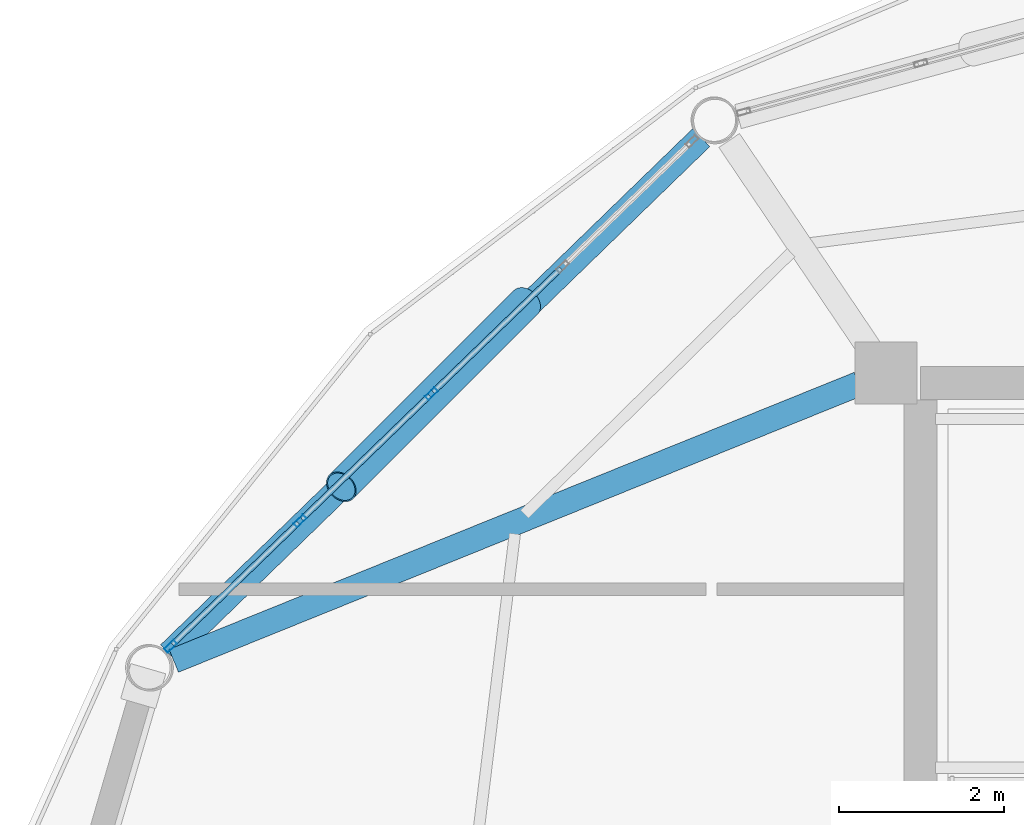
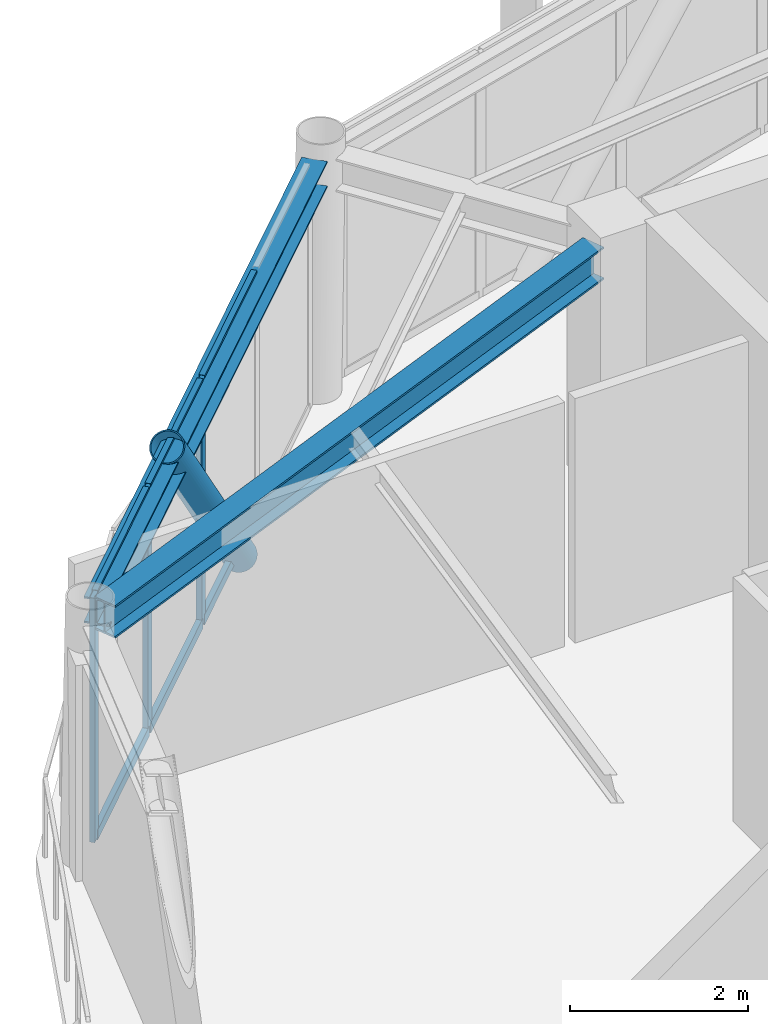
# One storey, part 13 of 27: 10 members, 2 beams, 1 element without a shape of its own.
"""IFC4 building model written with IfcOpenShell, lengths in metres."""

from ifc_helpers import new_model, si_unit, direction, frame, origin, origin_2d, place, context, subcontext, project, spatial, hollow_rectangle, hollow_circle, i_section, extrude, material, layer, layer_set, material_profile, profile_set, type_object, element, aggregate, save


model = new_model("IFC4")

# Units and contexts
model_context = context("Model", 3, precision=1e-05, world=origin(), true_north=direction((0.0, 1.0)))
body_context = subcontext(model_context, "Body", "Model", "MODEL_VIEW")
ifc_project = project(units=[si_unit("LENGTHUNIT", "METRE"), si_unit("AREAUNIT", "SQUARE_METRE"), si_unit("VOLUMEUNIT", "CUBIC_METRE"), si_unit("PLANEANGLEUNIT", "RADIAN"), si_unit("MASSUNIT", "GRAM", prefix="KILO")], contexts=[model_context])

# Site, building, storey
site_placement = place(None, origin())
site = spatial("IfcSite", under=ifc_project, at=site_placement, CompositionType="ELEMENT")
building_placement = place(site_placement, origin())
building = spatial("IfcBuilding", under=site, at=building_placement, Name="Varnakorn Sky Granary", CompositionType="ELEMENT")
storey_placement = place(building_placement, frame((0.0, 0.0, 229.199951171875)))
storey = spatial("IfcBuildingStorey", under=building, at=storey_placement, Name="L58", CompositionType="ELEMENT", Elevation=229.199951171875)

# Beams
ifc_material_1 = material(Name="Steel S355JR", Category="steel")
ifc_material_profile_1 = material_profile(ifc_material_1, i_section(OverallWidth=0.300048828125, OverallDepth=0.449951171875, WebThickness=0.013916015625, FlangeThickness=0.02587890625, at=origin_2d()), Name="HE 450 B")
ifc_profile_set_1 = profile_set([ifc_material_profile_1], Name="Steel S355JR")
beam_type_1 = type_object("IfcBeamType", Name="BM-RAD-Z5", PredefinedType="BEAM", material=ifc_profile_set_1)
beam_1_placement = place(storey_placement, frame((-2.7490234375, 12.487060546875, 3.135009765625), z_axis=(-0.927111074878, -0.374786679111, 0.0), x_axis=(0.374786679111, -0.927111074878, 0.0)))
element("IfcBeam", 1, at=beam_1_placement, inside=storey, type_object=beam_type_1, Name="Radial Floor Girder RG06 L58", PredefinedType="BEAM", context=body_context, shape_type="SweptSolid", body=[
    extrude(i_section(OverallWidth=0.300048828125, OverallDepth=0.449951171875, WebThickness=0.013916015625, FlangeThickness=0.02587890625, at=origin_2d()), origin(), (0.0, 0.0, 1.0), 8.942626953125),
])
ifc_material_profile_2 = material_profile(ifc_material_1, i_section(OverallWidth=0.300048828125, OverallDepth=0.360107421875, WebThickness=0.012451171875, FlangeThickness=0.0224609375, at=origin_2d()), Name="HE 360 B")
ifc_profile_set_2 = profile_set([ifc_material_profile_2], Name="Steel S355JR")
beam_type_2 = type_object("IfcBeamType", Name="BM-SPD-Z5", PredefinedType="SPANDREL", material=ifc_profile_set_2)
beam_2_placement = place(storey_placement, frame((-4.655517578125, 15.467529296875, 3.179931640625), z_axis=(-0.717760671114, -0.696289895806, 0.0), x_axis=(0.696289895806, -0.717760671114, 0.0)))
element("IfcBeam", 2, at=beam_2_placement, inside=storey, type_object=beam_type_2, Name="Perimeter Spandrel Ring Beam RB05 L58", PredefinedType="SPANDREL", context=body_context, shape_type="SweptSolid", body=[
    extrude(i_section(OverallWidth=0.300048828125, OverallDepth=0.360107421875, WebThickness=0.012451171875, FlangeThickness=0.0224609375, at=origin_2d()), origin(), (0.0, 0.0, 1.0), 8.9716796875),
])

# Curtain wall, members
ifc_material_2 = material(Name="Anodised Bronze Aluminium Alloy 6063-T6", Category="aluminium")
ifc_layer = layer(ifc_material_2, 0.169921875, Name="Anodised Bronze Aluminium Alloy 6063-T6")
ifc_layer_set = layer_set([ifc_layer], Name="Anodised Bronze Aluminium Alloy 6063-T6")
curtain_wall_type = type_object("IfcCurtainWallType", Name="CW-LAB-1", PredefinedType="USERDEFINED", material=ifc_layer_set)
curtain_wall_placement = place(storey_placement, origin())
curtain_wall = element("IfcCurtainWall", 3, at=curtain_wall_placement, inside=storey, type_object=curtain_wall_type, Name="Unitised Curtain Wall CW5 CW-L58-B05", ObjectType="CURTAIN WALL", PredefinedType="USERDEFINED")
ifc_material_profile_3 = material_profile(ifc_material_2, hollow_rectangle(XDim=0.06494140625, YDim=0.159912109375, WallThickness=0.00341796875, at=origin_2d()), Name="ALU MULL 65x160")
ifc_profile_set_3 = profile_set([ifc_material_profile_3], Name="Anodised Bronze Aluminium Alloy 6063-T6")
member_type_1 = type_object("IfcMemberType", Name="CW-LAB-1-MULL", PredefinedType="MULLION", material=ifc_profile_set_3)
member_1_placement = place(storey_placement, frame((-11.07666015625, 9.312255859375, 0.0), z_axis=(0.0, 0.0, 1.0), x_axis=(-0.695640153276, 0.718390407195, 0.0)))
member_1 = element("IfcMember", 4, at=member_1_placement, type_object=member_type_1, Name="CW5 mullion 1", PredefinedType="MULLION", context=body_context, shape_type="SweptSolid", body=[
    extrude(hollow_rectangle(XDim=0.06494140625, YDim=0.159912109375, WallThickness=0.00341796875, at=origin_2d()), origin(), (0.0, 0.0, 1.0), 3.360107421875),
])
member_2_placement = place(storey_placement, frame((-9.5107421875, 10.82861328125, 0.0), z_axis=(0.0, 0.0, 1.0), x_axis=(-0.695640153276, 0.718390407195, 0.0)))
member_2 = element("IfcMember", 5, at=member_2_placement, type_object=member_type_1, Name="CW5 mullion 2", PredefinedType="MULLION", context=body_context, shape_type="SweptSolid", body=[
    extrude(hollow_rectangle(XDim=0.06494140625, YDim=0.159912109375, WallThickness=0.00341796875, at=origin_2d()), origin(), (0.0, 0.0, 1.0), 3.360107421875),
])
member_3_placement = place(storey_placement, frame((-7.921630859375, 12.3671875, 0.0), z_axis=(0.0, 0.0, 1.0), x_axis=(-0.695640153276, 0.718390407195, 0.0)))
member_3 = element("IfcMember", 6, at=member_3_placement, type_object=member_type_1, Name="CW5 mullion 3", PredefinedType="MULLION", context=body_context, shape_type="SweptSolid", body=[
    extrude(hollow_rectangle(XDim=0.06494140625, YDim=0.159912109375, WallThickness=0.00341796875, at=origin_2d()), origin(), (0.0, 0.0, 1.0), 3.360107421875),
])
ifc_material_profile_4 = material_profile(ifc_material_2, hollow_rectangle(XDim=0.070068359375, YDim=0.139892578125, WallThickness=0.00341796875, at=origin_2d()), Name="ALU TRAN 70x140")
ifc_profile_set_4 = profile_set([ifc_material_profile_4], Name="Anodised Bronze Aluminium Alloy 6063-T6")
member_type_2 = type_object("IfcMemberType", Name="CW-LAB-1-TRAN", PredefinedType="USERDEFINED", material=ifc_profile_set_4)
member_4_placement = place(storey_placement, frame((-11.05322265625, 9.3349609375, 0.03515625), z_axis=(0.718388064337, 0.695642572747, 0.0), x_axis=(-0.695642572747, 0.718388064337, 0.0)))
member_4 = element("IfcMember", 7, at=member_4_placement, type_object=member_type_2, Name="CW5 transom 1.1", ObjectType="TRANSOM", PredefinedType="USERDEFINED", context=body_context, shape_type="SweptSolid", body=[
    extrude(hollow_rectangle(XDim=0.070068359375, YDim=0.139892578125, WallThickness=0.00341796875, at=origin_2d()), origin(), (0.0, 0.0, 1.0), 2.114501953125),
])
member_5_placement = place(storey_placement, frame((-11.05322265625, 9.3349609375, 3.324951171875), z_axis=(0.718388064337, 0.695642572747, 0.0), x_axis=(-0.695642572747, 0.718388064337, 0.0)))
member_5 = element("IfcMember", 8, at=member_5_placement, type_object=member_type_2, Name="CW5 transom 1.2", ObjectType="TRANSOM", PredefinedType="USERDEFINED", context=body_context, shape_type="SweptSolid", body=[
    extrude(hollow_rectangle(XDim=0.070068359375, YDim=0.139892578125, WallThickness=0.00341796875, at=origin_2d()), origin(), (0.0, 0.0, 1.0), 2.114501953125),
])
member_6_placement = place(storey_placement, frame((-9.487548828125, 10.85107421875, 0.03515625), z_axis=(0.718385817719, 0.695644892815, 0.0), x_axis=(-0.695644892815, 0.718385817719, 0.0)))
member_6 = element("IfcMember", 9, at=member_6_placement, type_object=member_type_2, Name="CW5 transom 2.1", ObjectType="TRANSOM", PredefinedType="USERDEFINED", context=body_context, shape_type="SweptSolid", body=[
    extrude(hollow_rectangle(XDim=0.070068359375, YDim=0.139892578125, WallThickness=0.00341796875, at=origin_2d()), origin(), (0.0, 0.0, 1.0), 2.147216796875),
])
member_7_placement = place(storey_placement, frame((-9.487548828125, 10.85107421875, 3.324951171875), z_axis=(0.718385817719, 0.695644892815, 0.0), x_axis=(-0.695644892815, 0.718385817719, 0.0)))
member_7 = element("IfcMember", 10, at=member_7_placement, type_object=member_type_2, Name="CW5 transom 2.2", ObjectType="TRANSOM", PredefinedType="USERDEFINED", context=body_context, shape_type="SweptSolid", body=[
    extrude(hollow_rectangle(XDim=0.070068359375, YDim=0.139892578125, WallThickness=0.00341796875, at=origin_2d()), origin(), (0.0, 0.0, 1.0), 2.147216796875),
])
member_8_placement = place(storey_placement, frame((-7.898193359375, 12.389892578125, 0.03515625), z_axis=(0.718330786828, 0.695701718191, 0.0), x_axis=(-0.695701718191, 0.718330786828, 0.0)))
member_8 = element("IfcMember", 11, at=member_8_placement, type_object=member_type_2, Name="CW5 transom 3.1", ObjectType="TRANSOM", PredefinedType="USERDEFINED", context=body_context, shape_type="SweptSolid", body=[
    extrude(hollow_rectangle(XDim=0.070068359375, YDim=0.139892578125, WallThickness=0.00341796875, at=origin_2d()), origin(), (0.0, 0.0, 1.0), 2.14697265625),
])
member_9_placement = place(storey_placement, frame((-7.898193359375, 12.389892578125, 3.324951171875), z_axis=(0.718330786828, 0.695701718191, 0.0), x_axis=(-0.695701718191, 0.718330786828, 0.0)))
member_9 = element("IfcMember", 12, at=member_9_placement, type_object=member_type_2, Name="CW5 transom 3.2", ObjectType="TRANSOM", PredefinedType="USERDEFINED", context=body_context, shape_type="SweptSolid", body=[
    extrude(hollow_rectangle(XDim=0.070068359375, YDim=0.139892578125, WallThickness=0.00341796875, at=origin_2d()), origin(), (0.0, 0.0, 1.0), 2.14697265625),
])
aggregate(curtain_wall, [member_1, member_2, member_3, member_4, member_5, member_6, member_7, member_8, member_9])

# Member
ifc_material_3 = material(Name="Steel S460M", Category="steel")
ifc_material_profile_5 = material_profile(ifc_material_3, hollow_circle(Radius=0.203125, WallThickness=0.01611328125, at=origin_2d()), Name="CHS 406.4x16")
ifc_profile_set_5 = profile_set([ifc_material_profile_5], Name="Steel S460M")
member_type_3 = type_object("IfcMemberType", Name="MB-DIAG-T4", PredefinedType="BRACE", material=ifc_profile_set_5)
member_10_placement = place(storey_placement, frame((-6.781005859375, 13.471923828125, -0.1298828125), z_axis=(-0.464596136119, -0.464494440566, 0.753919985799), x_axis=(0.707029379099, -0.707184174803, 0.0)))
element("IfcMember", 13, at=member_10_placement, inside=storey, type_object=member_type_3, Name="Perimeter CHS Diagrid Brace DG05 L58", PredefinedType="BRACE", context=body_context, shape_type="SweptSolid", body=[
    extrude(hollow_circle(Radius=0.203125, WallThickness=0.01611328125, at=origin_2d()), origin(), (0.0, 0.0, 1.0), 4.801513671875),
])

save(model, "model.ifc")
